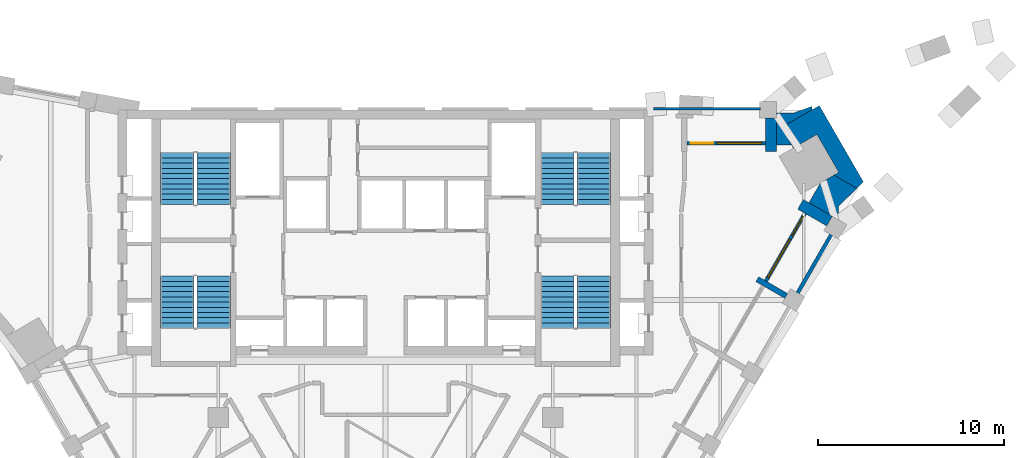
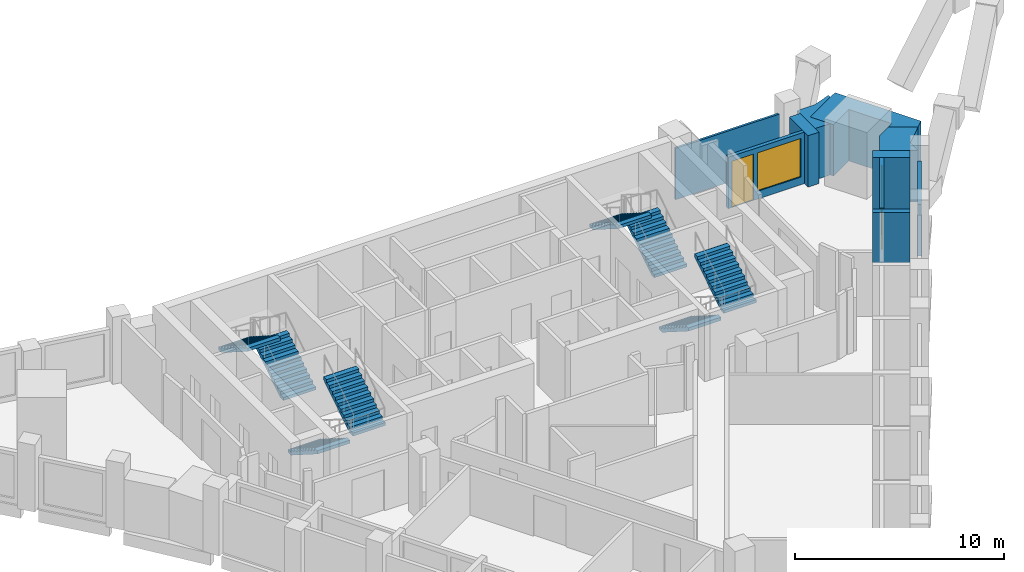
# One storey, part 8 of 9: 10 walls, 8 stair flights, 2 doors, 2 windows, 4 openings, 4 elements without a shape of their own.
"""IFC4 building model written with IfcOpenShell, lengths in metres."""

from ifc_helpers import new_model, si_unit, direction, frame, frame_2d, origin, place, context, subcontext, project, spatial, polyline, rectangle, outline, extrude, faceted_brep, source, transform, mapped, material, layer, layer_set, type_object, element, fill, aggregate, save


model = new_model("IFC4")

# Units and contexts
model_context = context("Model", 3, precision=1e-05, world=origin(), true_north=direction((0.0, 1.0)))
body_context = subcontext(model_context, "Body", "Model", "MODEL_VIEW")
ifc_project = project(units=[si_unit("LENGTHUNIT", "METRE"), si_unit("AREAUNIT", "SQUARE_METRE"), si_unit("VOLUMEUNIT", "CUBIC_METRE"), si_unit("PLANEANGLEUNIT", "RADIAN"), si_unit("MASSUNIT", "GRAM", prefix="KILO")], contexts=[model_context])

# Site, building, storey
site_placement = place(None, origin())
site = spatial("IfcSite", under=ifc_project, at=site_placement, CompositionType="ELEMENT")
building_placement = place(site_placement, origin())
building = spatial("IfcBuilding", under=site, at=building_placement, Name="Calabash Gate Tower", CompositionType="ELEMENT")
storey_placement = place(building_placement, frame((0.0, 0.0, 239.300048828125)))
storey = spatial("IfcBuildingStorey", under=building, at=storey_placement, Name="L57", CompositionType="ELEMENT", Elevation=239.300048828125)

# Walls
ifc_material_1 = material(Name="Terracotta brick masonry, exposed face", Category="masonry")
ifc_layer_1 = layer(ifc_material_1, 2.35009765625)
ifc_layer_set_1 = layer_set([ifc_layer_1], Name="Brick corner mass wall 2350")
wall_type_1 = type_object("IfcWallType", Name="Brick corner mass wall 2350", PredefinedType="SOLIDWALL", material=ifc_layer_set_1)
wall_1_placement = place(storey_placement, origin())
element("IfcWall", 1, at=wall_1_placement, inside=storey, type_object=wall_type_1, Name="Brick corner pier S16 3a", PredefinedType="SOLIDWALL", context=body_context, shape_type="SweptSolid", body=[
    extrude(outline(polyline([(23.392333984375, 15.1171875), (22.775634765625, 14.049072265625), (24.364013671875, 13.1318359375), (24.364013671875, 13.861083984375), (25.353271484375, 14.825439453125), (24.119873046875, 15.537353515625), (23.392333984375, 15.1171875)])), origin(), (0.0, 0.0, 1.0), 3.0),
])
wall_2_placement = place(storey_placement, origin())
element("IfcWall", 2, at=wall_2_placement, inside=storey, type_object=wall_type_1, Name="Brick corner pier S16 3b", PredefinedType="SOLIDWALL", context=body_context, shape_type="SweptSolid", body=[
    extrude(outline(polyline([(23.2041015625, 17.72216796875), (24.379150390625, 15.68701171875), (24.119873046875, 15.537353515625), (25.353271484375, 14.825439453125), (25.706298828125, 15.169677734375), (23.33447265625, 19.277587890625), (21.29931640625, 18.1025390625), (21.9404296875, 16.992431640625), (23.2041015625, 17.72216796875)])), origin(), (0.0, 0.0, 1.0), 3.0),
])
wall_3_placement = place(storey_placement, origin())
element("IfcWall", 3, at=wall_3_placement, inside=storey, type_object=wall_type_1, Name="Brick corner pier S16 3c", PredefinedType="SOLIDWALL", context=body_context, shape_type="SweptSolid", body=[
    extrude(outline(polyline([(21.027099609375, 18.884033203125), (21.02685546875, 17.152587890625), (21.847900390625, 17.152587890625), (21.29931640625, 18.1025390625), (22.94482421875, 19.052490234375), (22.94482421875, 19.239501953125), (21.97802734375, 18.884033203125), (21.027099609375, 18.884033203125)])), origin(), (0.0, 0.0, 1.0), 3.0),
])
ifc_material_2 = material(Name="Terracotta brick masonry, exposed face", Category="masonry")
ifc_layer_2 = layer(ifc_material_2, 0.300048828125)
ifc_layer_set_2 = layer_set([ifc_layer_2], Name="Brick loggia cheek wall 300")
wall_type_2 = type_object("IfcWallType", Name="Brick loggia cheek wall 300", PredefinedType="SOLIDWALL", material=ifc_layer_set_2)
wall_4_placement = place(storey_placement, frame((21.556396484375, 9.037109375, 0.0), z_axis=(0.0, 0.0, 1.0), x_axis=(-0.866047807691, 0.499961193289, 0.0)))
element("IfcWall", 4, at=wall_4_placement, inside=storey, type_object=wall_type_2, Name="Loggia cheek S16 SE2.8", PredefinedType="SOLIDWALL", context=body_context, shape_type="SweptSolid", body=[
    extrude(rectangle(XDim=1.800048828125, YDim=0.300048828125, at=frame_2d((0.89990234375, 0.0))), origin(), (0.0, 0.0, 1.0), 2.949951171875),
])
wall_5_placement = place(storey_placement, frame((23.88134765625, 13.064208984375, 0.0), z_axis=(0.0, 0.0, 1.0), x_axis=(-0.866047807691, 0.499961193289, 0.0)))
element("IfcWall", 5, at=wall_5_placement, inside=storey, type_object=wall_type_2, Name="Loggia cheek S16 SE2.9", PredefinedType="SOLIDWALL", context=body_context, shape_type="SweptSolid", body=[
    extrude(rectangle(XDim=1.800048828125, YDim=0.60009765625, at=frame_2d((0.89990234375, 0.0))), origin(), (0.0, 0.0, 1.0), 3.0),
])
wall_6_placement = place(storey_placement, origin())
element("IfcWall", 6, at=wall_6_placement, inside=storey, type_object=wall_type_2, Name="Loggia cheek S16 N4.0", PredefinedType="SOLIDWALL", context=body_context, shape_type="SweptSolid", body=[
    extrude(outline(polyline([(21.02685546875, 16.802490234375), (21.02685546875, 18.6025390625), (20.427001953125, 18.6025390625), (20.427001953125, 16.802490234375), (21.02685546875, 16.802490234375)])), origin(), (0.0, 0.0, 1.0), 3.0),
])
ifc_material_3 = material(Name="Terracotta brick masonry, perforated", Category="masonry")
ifc_layer_3 = layer(ifc_material_3, 0.1201171875)
ifc_layer_set_3 = layer_set([ifc_layer_3], Name="Terracotta jaali cladding B 120")
wall_type_3 = type_object("IfcWallType", Name="Terracotta jaali cladding B 120", PredefinedType="SOLIDWALL", material=ifc_layer_set_3)
wall_7_placement = place(storey_placement, frame((14.4248046875, 19.112548828125, 0.0), z_axis=(0.0, 0.0, 1.0), x_axis=(1.0, 0.0, 0.0)))
element("IfcWall", 7, at=wall_7_placement, inside=storey, type_object=wall_type_3, Name="Jaali cladding S16 N4.c1", PredefinedType="SOLIDWALL", context=body_context, shape_type="SweptSolid", body=[
    extrude(rectangle(XDim=5.739990234375, YDim=0.1201171875, at=frame_2d((2.8701171875, 0.0))), origin(), (0.0, 0.0, 1.0), 3.0),
])
ifc_material_4 = material(Name="Terracotta brick masonry, perforated", Category="masonry")
ifc_layer_4 = layer(ifc_material_4, 0.199951171875)
ifc_layer_set_4 = layer_set([ifc_layer_4], Name="Terracotta jaali screen B")
wall_type_4 = type_object("IfcWallType", Name="Terracotta jaali screen B", PredefinedType="SOLIDWALL", material=ifc_layer_set_4)
wall_8_placement = place(storey_placement, frame((22.1708984375, 9.201904296875, 0.0), z_axis=(0.0, 0.0, 1.0), x_axis=(0.500012057535, 0.866018442252, 0.0)))
element("IfcWall", 8, at=wall_8_placement, inside=storey, type_object=wall_type_4, Name="SCREEN B S16 SE2.9", PredefinedType="SOLIDWALL", context=body_context, shape_type="SweptSolid", body=[
    extrude(rectangle(XDim=3.60009765625, YDim=0.199951171875, at=frame_2d((1.800048828125, 0.0))), origin(), (0.0, 0.0, 1.0), 3.0),
])

# Wall, openings, door, window
ifc_material_5 = material(Name="Aluminium framed window wall with insulated spandrel", Category="aluminium")
ifc_layer_5 = layer(ifc_material_5, 0.199951171875)
ifc_layer_set_5 = layer_set([ifc_layer_5], Name="Window wall 200")
wall_type_5 = type_object("IfcWallType", Name="Window wall 200", PredefinedType="ELEMENTEDWALL", material=ifc_layer_set_5)
wall_9_placement = place(storey_placement, frame((20.462158203125, 9.842041015625, 0.0), z_axis=(0.0, 0.0, 1.0), x_axis=(0.500027713859, 0.866009402589, 0.0)))
wall_9 = element("IfcWall", 9, at=wall_9_placement, inside=storey, type_object=wall_type_5, Name="Window wall S16 SE2.9", PredefinedType="ELEMENTEDWALL", context=body_context, shape_type="SweptSolid", body=[
    extrude(rectangle(XDim=4.199951171875, YDim=0.199951171875, at=frame_2d((2.10009765625, 0.0))), origin(), (0.0, 0.0, 1.0), 3.0),
])
opening_1_placement = place(wall_9_placement, frame((0.199951171875, 0.0, 0.449951171875)))
opening_1 = element("IfcOpeningElement", 10, at=opening_1_placement, cuts=wall_9, Name="Opening OW1", PredefinedType="OPENING", context=body_context, shape_type="SweptSolid", body=[
    extrude(rectangle(XDim=2.39990234375, YDim=2.25, at=frame_2d((1.199951171875, 1.125))), frame((0.0, 0.10986328125, 0.0), z_axis=(0.0, -1.0, 0.0), x_axis=(1.0, 0.0, 0.0)), (0.0, 0.0, 1.0), 0.219970703125),
])
opening_2_placement = place(wall_9_placement, frame((2.800048828125, 0.0, 0.0)))
opening_2 = element("IfcOpeningElement", 11, at=opening_2_placement, cuts=wall_9, Name="Opening O8-025", PredefinedType="OPENING", context=body_context, shape_type="SweptSolid", body=[
    extrude(rectangle(XDim=1.199951171875, YDim=2.699951171875, at=frame_2d((0.60009765625, 1.35009765625))), frame((0.0, 0.10986328125, 0.0), z_axis=(0.0, -1.0, 0.0), x_axis=(1.0, 0.0, 0.0)), (0.0, 0.0, 1.0), 0.219970703125),
])
ifc_material_6 = material(Name="Anodised aluminium frame, bronze finish, impact-rated laminated clear glazing", Category="aluminium")
door_type = type_object("IfcDoorType", Name="Loggia door DO1 1200x2700", OperationType="SLIDING_TO_LEFT", PredefinedType="DOOR", material=ifc_material_6)
door_1_placement = place(opening_2_placement, origin())
door_1 = element("IfcDoor", 12, at=door_1_placement, inside=storey, type_object=door_type, Name="Loggia door S16 SE2.9", OperationType="SINGLE_SWING_LEFT", OverallHeight=2.699951171875, OverallWidth=1.199951171875, PredefinedType="DOOR", context=body_context, shape_type="SweptSolid", body=[
    extrude(rectangle(XDim=1.199951171875, YDim=2.699951171875, at=frame_2d((0.60009765625, 1.35009765625))), frame((0.0, 0.02490234375, 0.0), z_axis=(0.0, -1.0, 0.0), x_axis=(1.0, 0.0, 0.0)), (0.0, 0.0, 1.0), 0.050048828125),
])
fill(opening_2, door_1)
ifc_material_7 = material(Name="Anodised aluminium frame, bronze finish, impact-rated laminated clear glazing", Category="aluminium")
window_type = type_object("IfcWindowType", Name="Window OW1 2400x2250", PartitioningType="DOUBLE_PANEL_VERTICAL", PredefinedType="WINDOW", material=ifc_material_7)
window_1_placement = place(opening_1_placement, origin())
window_1 = element("IfcWindow", 13, at=window_1_placement, inside=storey, type_object=window_type, Name="Window OW1 S16 SE2.9", OverallHeight=2.25, OverallWidth=2.39990234375, PartitioningType="SINGLE_PANEL", PredefinedType="WINDOW", context=body_context, shape_type="SweptSolid", body=[
    extrude(rectangle(XDim=2.39990234375, YDim=2.25, at=frame_2d((1.199951171875, 1.125))), frame((0.0, 0.030029296875, 0.0), z_axis=(0.0, -1.0, 0.0), x_axis=(1.0, 0.0, 0.0)), (0.0, 0.0, 1.0), 0.06005859375),
])
fill(opening_1, window_1)

wall_10_placement = place(storey_placement, frame((20.427001953125, 17.25244140625, 0.0), z_axis=(0.0, 0.0, 1.0), x_axis=(-1.0, 0.0, 0.0)))
wall_10 = element("IfcWall", 14, at=wall_10_placement, inside=storey, type_object=wall_type_5, Name="Window wall S16 N4.1", PredefinedType="ELEMENTEDWALL", context=body_context, shape_type="SweptSolid", body=[
    extrude(rectangle(XDim=4.199951171875, YDim=0.199951171875, at=frame_2d((2.10009765625, 0.0))), origin(), (0.0, 0.0, 1.0), 3.0),
])
opening_3_placement = place(wall_10_placement, frame((0.199951171875, 0.0, 0.449951171875)))
opening_3 = element("IfcOpeningElement", 15, at=opening_3_placement, cuts=wall_10, Name="Opening OW1", PredefinedType="OPENING", context=body_context, shape_type="SweptSolid", body=[
    extrude(rectangle(XDim=2.39990234375, YDim=2.25, at=frame_2d((1.199951171875, 1.125))), frame((0.0, 0.10986328125, 0.0), z_axis=(0.0, -1.0, 0.0), x_axis=(1.0, 0.0, 0.0)), (0.0, 0.0, 1.0), 0.219970703125),
])
opening_4_placement = place(wall_10_placement, frame((2.800048828125, 0.0, 0.0)))
opening_4 = element("IfcOpeningElement", 16, at=opening_4_placement, cuts=wall_10, Name="Opening O8-021", PredefinedType="OPENING", context=body_context, shape_type="SweptSolid", body=[
    extrude(rectangle(XDim=1.199951171875, YDim=2.699951171875, at=frame_2d((0.60009765625, 1.35009765625))), frame((0.0, 0.10986328125, 0.0), z_axis=(0.0, -1.0, 0.0), x_axis=(1.0, 0.0, 0.0)), (0.0, 0.0, 1.0), 0.219970703125),
])
door_2_placement = place(opening_4_placement, origin())
door_2 = element("IfcDoor", 17, at=door_2_placement, inside=storey, type_object=door_type, Name="Loggia door S16 N4.1", OperationType="SINGLE_SWING_LEFT", OverallHeight=2.699951171875, OverallWidth=1.199951171875, PredefinedType="DOOR", context=body_context, shape_type="SweptSolid", body=[
    extrude(rectangle(XDim=1.199951171875, YDim=2.699951171875, at=frame_2d((0.60009765625, 1.35009765625))), frame((0.0, 0.02490234375, 0.0), z_axis=(0.0, -1.0, 0.0), x_axis=(1.0, 0.0, 0.0)), (0.0, 0.0, 1.0), 0.050048828125),
])
fill(opening_4, door_2)
window_2_placement = place(opening_3_placement, origin())
window_2 = element("IfcWindow", 18, at=window_2_placement, inside=storey, type_object=window_type, Name="Window OW1 S16 N4.1", OverallHeight=2.25, OverallWidth=2.39990234375, PartitioningType="SINGLE_PANEL", PredefinedType="WINDOW", context=body_context, shape_type="SweptSolid", body=[
    extrude(rectangle(XDim=2.39990234375, YDim=2.25, at=frame_2d((1.199951171875, 1.125))), frame((0.0, 0.030029296875, 0.0), z_axis=(0.0, -1.0, 0.0), x_axis=(1.0, 0.0, 0.0)), (0.0, 0.0, 1.0), 0.06005859375),
])
fill(opening_3, window_2)

# Stair, stair flights
ifc_material_8 = material(Name="Concrete C40/50", Category="concrete")
stair_type = type_object("IfcStairType", Name="Exit stair 22 risers of 177.3 mm", PredefinedType="HALF_TURN_STAIR", material=ifc_material_8)
stair_1_placement = place(storey_placement, origin())
stair_1 = element("IfcStair", 19, at=stair_1_placement, inside=storey, type_object=stair_type, Name="L57 Exit stair ST1", PredefinedType="HALF_TURN_STAIR")
ifc_material_9 = material(Name="Concrete C40/50", Category="concrete")
stair_flight_type = type_object("IfcStairFlightType", Name="Exit stair flight SFL", PredefinedType="STRAIGHT", material=ifc_material_9)
shared_shape = source(origin(), body_context, "Body", "Brep", [
    faceted_brep([(-0.0009765625, -0.89990234375, 0.0), (0.279541015625, -0.89990234375, 0.0), (2.791015625, -0.89990234375, 1.59521484375), (-0.0009765625, 0.89990234375, 0.0), (2.791015625, 0.89990234375, 1.59521484375), (0.279541015625, 0.89990234375, 0.0), (2.791015625, -0.89990234375, 1.78466796875), (2.7900390625, -0.89990234375, 1.78466796875), (2.7900390625, 0.89990234375, 1.78466796875), (2.791015625, 0.89990234375, 1.78466796875), (2.7900390625, -0.89990234375, 1.772705078125), (2.7900390625, 0.89990234375, 1.772705078125), (2.510986328125, -0.89990234375, 1.772705078125), (2.510986328125, 0.89990234375, 1.772705078125), (2.510986328125, -0.89990234375, 1.595458984375), (2.510986328125, 0.89990234375, 1.595458984375), (2.23193359375, -0.89990234375, 1.595458984375), (2.23193359375, 0.89990234375, 1.595458984375), (2.23193359375, -0.89990234375, 1.418212890625), (2.23193359375, 0.89990234375, 1.418212890625), (1.952880859375, -0.89990234375, 1.418212890625), (1.952880859375, -0.89990234375, 1.240966796875), (1.952880859375, 0.89990234375, 1.240966796875), (1.952880859375, 0.89990234375, 1.418212890625), (1.674072265625, -0.89990234375, 1.240966796875), (1.674072265625, -0.89990234375, 1.063720703125), (1.674072265625, 0.89990234375, 1.063720703125), (1.674072265625, 0.89990234375, 1.240966796875), (1.39501953125, -0.89990234375, 1.063720703125), (1.39501953125, -0.89990234375, 0.886474609375), (1.39501953125, 0.89990234375, 0.886474609375), (1.39501953125, 0.89990234375, 1.063720703125), (1.115966796875, -0.89990234375, 0.886474609375), (1.115966796875, -0.89990234375, 0.708984375), (1.115966796875, 0.89990234375, 0.708984375), (1.115966796875, 0.89990234375, 0.886474609375), (0.8369140625, -0.89990234375, 0.708984375), (0.8369140625, -0.89990234375, 0.53173828125), (0.8369140625, 0.89990234375, 0.53173828125), (0.8369140625, 0.89990234375, 0.708984375), (0.55810546875, -0.89990234375, 0.53173828125), (0.55810546875, -0.89990234375, 0.3544921875), (0.55810546875, 0.89990234375, 0.3544921875), (0.55810546875, 0.89990234375, 0.53173828125), (0.279052734375, -0.89990234375, 0.3544921875), (0.279052734375, -0.89990234375, 0.17724609375), (0.279052734375, 0.89990234375, 0.17724609375), (0.279052734375, 0.89990234375, 0.3544921875), (-0.0009765625, -0.89990234375, 0.17724609375), (-0.0009765625, 0.89990234375, 0.17724609375), (0.279541015625, -0.360107421875, 0.0), (2.791015625, -0.360107421875, 1.59521484375), (0.279541015625, 0.0, 0.0), (2.791015625, 0.0, 1.59521484375), (0.279541015625, 0.360107421875, 0.0), (2.791015625, 0.360107421875, 1.59521484375), (2.791015625, -0.360107421875, 1.78466796875), (2.791015625, 0.0, 1.78466796875), (2.791015625, 0.360107421875, 1.78466796875), (2.7900390625, -0.360107421875, 1.78466796875), (2.7900390625, 0.0, 1.78466796875), (2.7900390625, 0.360107421875, 1.78466796875), (2.7900390625, -0.360107421875, 1.772705078125), (2.7900390625, 0.0, 1.772705078125), (2.7900390625, 0.360107421875, 1.772705078125), (2.510986328125, -0.360107421875, 1.772705078125), (2.510986328125, 0.0, 1.772705078125), (2.510986328125, 0.360107421875, 1.772705078125), (2.510986328125, -0.360107421875, 1.595458984375), (2.510986328125, 0.0, 1.595458984375), (2.510986328125, 0.360107421875, 1.595458984375), (2.23193359375, -0.360107421875, 1.595458984375), (2.23193359375, 0.0, 1.595458984375), (2.23193359375, 0.360107421875, 1.595458984375), (2.23193359375, -0.360107421875, 1.418212890625), (2.23193359375, 0.0, 1.418212890625), (2.23193359375, 0.360107421875, 1.418212890625), (1.952880859375, -0.360107421875, 1.418212890625), (1.952880859375, 0.0, 1.418212890625), (1.952880859375, 0.360107421875, 1.418212890625), (1.952880859375, -0.360107421875, 1.240966796875), (1.952880859375, 0.0, 1.240966796875), (1.952880859375, 0.360107421875, 1.240966796875), (1.674072265625, -0.360107421875, 1.240966796875), (1.674072265625, 0.0, 1.240966796875), (1.674072265625, 0.360107421875, 1.240966796875), (1.674072265625, -0.360107421875, 1.063720703125), (1.674072265625, 0.0, 1.063720703125), (1.674072265625, 0.360107421875, 1.063720703125), (1.39501953125, -0.360107421875, 1.063720703125), (1.39501953125, 0.0, 1.063720703125), (1.39501953125, 0.360107421875, 1.063720703125), (1.39501953125, -0.360107421875, 0.886474609375), (1.39501953125, 0.0, 0.886474609375), (1.39501953125, 0.360107421875, 0.886474609375), (1.115966796875, -0.360107421875, 0.886474609375), (1.115966796875, 0.0, 0.886474609375), (1.115966796875, 0.360107421875, 0.886474609375), (1.115966796875, -0.360107421875, 0.708984375), (1.115966796875, 0.0, 0.708984375), (1.115966796875, 0.360107421875, 0.708984375), (0.8369140625, -0.360107421875, 0.708984375), (0.8369140625, 0.0, 0.708984375), (0.8369140625, 0.360107421875, 0.708984375), (0.8369140625, -0.360107421875, 0.53173828125), (0.8369140625, 0.0, 0.53173828125), (0.8369140625, 0.360107421875, 0.53173828125), (0.55810546875, -0.360107421875, 0.53173828125), (0.55810546875, 0.0, 0.53173828125), (0.55810546875, 0.360107421875, 0.53173828125), (0.55810546875, -0.360107421875, 0.3544921875), (0.55810546875, 0.0, 0.3544921875), (0.55810546875, 0.360107421875, 0.3544921875), (0.279052734375, -0.360107421875, 0.3544921875), (0.279052734375, 0.0, 0.3544921875), (0.279052734375, 0.360107421875, 0.3544921875), (0.279052734375, -0.360107421875, 0.17724609375), (0.279052734375, 0.0, 0.17724609375), (0.279052734375, 0.360107421875, 0.17724609375), (-0.0009765625, -0.360107421875, 0.17724609375), (-0.0009765625, 0.0, 0.17724609375), (-0.0009765625, 0.360107421875, 0.17724609375), (-0.0009765625, -0.360107421875, 0.0), (-0.0009765625, 0.0, 0.0), (-0.0009765625, 0.360107421875, 0.0)], [[[0, 1, 2]], [[3, 4, 5]], [[2, 6, 7]], [[4, 8, 9]], [[2, 7, 10]], [[4, 11, 8]], [[2, 10, 12]], [[4, 13, 11]], [[2, 12, 14]], [[4, 15, 13]], [[2, 14, 16]], [[4, 17, 15]], [[2, 16, 18]], [[4, 19, 17]], [[18, 20, 21]], [[19, 22, 23]], [[2, 18, 21]], [[4, 22, 19]], [[21, 24, 25]], [[22, 26, 27]], [[2, 21, 25]], [[4, 26, 22]], [[25, 28, 29]], [[26, 30, 31]], [[2, 25, 29]], [[4, 30, 26]], [[29, 32, 33]], [[30, 34, 35]], [[2, 29, 33]], [[4, 34, 30]], [[33, 36, 37]], [[34, 38, 39]], [[2, 33, 37]], [[4, 38, 34]], [[37, 40, 41]], [[38, 42, 43]], [[2, 37, 41]], [[4, 42, 38]], [[41, 44, 45]], [[42, 46, 47]], [[2, 41, 45]], [[4, 46, 42]], [[0, 2, 45]], [[3, 46, 4]], [[45, 48, 0]], [[46, 3, 49]], [[1, 50, 2]], [[50, 51, 2]], [[50, 52, 51]], [[52, 53, 51]], [[52, 54, 55]], [[52, 55, 53]], [[54, 5, 4]], [[54, 4, 55]], [[2, 51, 6]], [[51, 56, 6]], [[51, 53, 56]], [[53, 57, 56]], [[53, 55, 58]], [[53, 58, 57]], [[55, 4, 9]], [[55, 9, 58]], [[6, 56, 7]], [[56, 59, 7]], [[56, 57, 59]], [[57, 60, 59]], [[57, 58, 61]], [[57, 61, 60]], [[58, 9, 8]], [[58, 8, 61]], [[7, 59, 10]], [[59, 62, 10]], [[59, 60, 62]], [[60, 63, 62]], [[60, 61, 64]], [[60, 64, 63]], [[61, 8, 11]], [[61, 11, 64]], [[10, 62, 12]], [[62, 65, 12]], [[62, 63, 65]], [[63, 66, 65]], [[63, 64, 67]], [[63, 67, 66]], [[64, 11, 13]], [[64, 13, 67]], [[12, 65, 14]], [[65, 68, 14]], [[65, 66, 68]], [[66, 69, 68]], [[66, 67, 70]], [[66, 70, 69]], [[67, 13, 15]], [[67, 15, 70]], [[14, 68, 16]], [[68, 71, 16]], [[68, 69, 71]], [[69, 72, 71]], [[69, 70, 73]], [[69, 73, 72]], [[70, 15, 17]], [[70, 17, 73]], [[16, 71, 18]], [[71, 74, 18]], [[71, 72, 74]], [[72, 75, 74]], [[72, 73, 76]], [[72, 76, 75]], [[73, 17, 19]], [[73, 19, 76]], [[18, 74, 20]], [[74, 77, 20]], [[74, 75, 77]], [[75, 78, 77]], [[75, 76, 79]], [[75, 79, 78]], [[76, 19, 23]], [[76, 23, 79]], [[20, 77, 21]], [[77, 80, 21]], [[77, 78, 80]], [[78, 81, 80]], [[78, 79, 82]], [[78, 82, 81]], [[79, 23, 22]], [[79, 22, 82]], [[21, 80, 24]], [[80, 83, 24]], [[80, 81, 83]], [[81, 84, 83]], [[81, 82, 85]], [[81, 85, 84]], [[82, 22, 27]], [[82, 27, 85]], [[24, 83, 25]], [[83, 86, 25]], [[83, 84, 86]], [[84, 87, 86]], [[84, 85, 88]], [[84, 88, 87]], [[85, 27, 26]], [[85, 26, 88]], [[25, 86, 28]], [[86, 89, 28]], [[86, 87, 89]], [[87, 90, 89]], [[87, 88, 91]], [[87, 91, 90]], [[88, 26, 31]], [[88, 31, 91]], [[28, 89, 29]], [[89, 92, 29]], [[89, 90, 92]], [[90, 93, 92]], [[90, 91, 94]], [[90, 94, 93]], [[91, 31, 30]], [[91, 30, 94]], [[29, 92, 32]], [[92, 95, 32]], [[92, 93, 95]], [[93, 96, 95]], [[93, 94, 97]], [[93, 97, 96]], [[94, 30, 35]], [[94, 35, 97]], [[32, 95, 33]], [[95, 98, 33]], [[95, 96, 98]], [[96, 99, 98]], [[96, 97, 100]], [[96, 100, 99]], [[97, 35, 34]], [[97, 34, 100]], [[33, 98, 36]], [[98, 101, 36]], [[98, 99, 101]], [[99, 102, 101]], [[99, 100, 103]], [[99, 103, 102]], [[100, 34, 39]], [[100, 39, 103]], [[36, 101, 37]], [[101, 104, 37]], [[101, 102, 104]], [[102, 105, 104]], [[102, 103, 106]], [[102, 106, 105]], [[103, 39, 38]], [[103, 38, 106]], [[37, 104, 40]], [[104, 107, 40]], [[104, 105, 107]], [[105, 108, 107]], [[105, 106, 109]], [[105, 109, 108]], [[106, 38, 43]], [[106, 43, 109]], [[40, 107, 41]], [[107, 110, 41]], [[107, 108, 110]], [[108, 111, 110]], [[108, 109, 112]], [[108, 112, 111]], [[109, 43, 42]], [[109, 42, 112]], [[41, 110, 44]], [[110, 113, 44]], [[110, 111, 113]], [[111, 114, 113]], [[111, 112, 115]], [[111, 115, 114]], [[112, 42, 47]], [[112, 47, 115]], [[44, 113, 45]], [[113, 116, 45]], [[113, 114, 116]], [[114, 117, 116]], [[114, 115, 118]], [[114, 118, 117]], [[115, 47, 46]], [[115, 46, 118]], [[45, 116, 48]], [[116, 119, 48]], [[116, 117, 119]], [[117, 120, 119]], [[117, 118, 121]], [[117, 121, 120]], [[118, 46, 49]], [[118, 49, 121]], [[48, 119, 0]], [[119, 122, 0]], [[119, 120, 122]], [[120, 123, 122]], [[120, 121, 124]], [[120, 124, 123]], [[121, 49, 3]], [[121, 3, 124]], [[0, 122, 1]], [[122, 50, 1]], [[122, 123, 50]], [[123, 52, 50]], [[123, 124, 54]], [[123, 54, 52]], [[124, 3, 5]], [[124, 5, 54]]]),
])
stair_flight_1_placement = place(storey_placement, frame((-9.25, 13.95263671875, 0.0), z_axis=(0.0, 0.0, 1.0), x_axis=(0.0, 1.0, 0.0)))
stair_flight_1 = element("IfcStairFlight", 20, at=stair_flight_1_placement, type_object=stair_flight_type, Name="ST1 flight 1", NumberOfRisers=11, NumberOfTreads=10, PredefinedType="STRAIGHT", RiserHeight=0.177272727, TreadLength=0.279, context=body_context, shape_type="MappedRepresentation", body=[
    mapped(shared_shape, transform((0.0, 0.0, 0.0), scale=1.0)),
])
stair_flight_2_placement = place(storey_placement, frame((-11.199951171875, 16.74267578125, 1.949951171875), z_axis=(0.0, 0.0, 1.0), x_axis=(0.0, -1.0, 0.0)))
stair_flight_2 = element("IfcStairFlight", 21, at=stair_flight_2_placement, type_object=stair_flight_type, Name="ST1 flight 2", NumberOfRisers=11, NumberOfTreads=10, PredefinedType="STRAIGHT", RiserHeight=0.177272727, TreadLength=0.279, context=body_context, shape_type="MappedRepresentation", body=[
    mapped(shared_shape, transform((0.0, 0.0, 0.0), scale=1.0)),
])
aggregate(stair_1, [stair_flight_1, stair_flight_2])

stair_2_placement = place(storey_placement, origin())
stair_2 = element("IfcStair", 22, at=stair_2_placement, inside=storey, type_object=stair_type, Name="L57 Exit stair ST2", PredefinedType="HALF_TURN_STAIR")
stair_flight_3_placement = place(storey_placement, frame((-11.199951171875, 10.1025390625, 0.0), z_axis=(0.0, 0.0, 1.0), x_axis=(0.0, -1.0, 0.0)))
stair_flight_3 = element("IfcStairFlight", 23, at=stair_flight_3_placement, type_object=stair_flight_type, Name="ST2 flight 1", NumberOfRisers=11, NumberOfTreads=10, PredefinedType="STRAIGHT", RiserHeight=0.177272727, TreadLength=0.279, context=body_context, shape_type="MappedRepresentation", body=[
    mapped(shared_shape, transform((0.0, 0.0, 0.0), scale=1.0)),
])
stair_flight_4_placement = place(storey_placement, frame((-9.25, 7.3125, 1.949951171875), z_axis=(0.0, 0.0, 1.0), x_axis=(0.0, 1.0, 0.0)))
stair_flight_4 = element("IfcStairFlight", 24, at=stair_flight_4_placement, type_object=stair_flight_type, Name="ST2 flight 2", NumberOfRisers=11, NumberOfTreads=10, PredefinedType="STRAIGHT", RiserHeight=0.177272727, TreadLength=0.279, context=body_context, shape_type="MappedRepresentation", body=[
    mapped(shared_shape, transform((0.0, 0.0, 0.0), scale=1.0)),
])
aggregate(stair_2, [stair_flight_3, stair_flight_4])

stair_3_placement = place(storey_placement, origin())
stair_3 = element("IfcStair", 25, at=stair_3_placement, inside=storey, type_object=stair_type, Name="L57 Exit stair ST3", PredefinedType="HALF_TURN_STAIR")
stair_flight_5_placement = place(storey_placement, frame((11.199951171875, 13.95263671875, 0.0), z_axis=(0.0, 0.0, 1.0), x_axis=(0.0, 1.0, 0.0)))
stair_flight_5 = element("IfcStairFlight", 26, at=stair_flight_5_placement, type_object=stair_flight_type, Name="ST3 flight 1", NumberOfRisers=11, NumberOfTreads=10, PredefinedType="STRAIGHT", RiserHeight=0.177272727, TreadLength=0.279, context=body_context, shape_type="MappedRepresentation", body=[
    mapped(shared_shape, transform((0.0, 0.0, 0.0), scale=1.0)),
])
stair_flight_6_placement = place(storey_placement, frame((9.25, 16.74267578125, 1.949951171875), z_axis=(0.0, 0.0, 1.0), x_axis=(0.0, -1.0, 0.0)))
stair_flight_6 = element("IfcStairFlight", 27, at=stair_flight_6_placement, type_object=stair_flight_type, Name="ST3 flight 2", NumberOfRisers=11, NumberOfTreads=10, PredefinedType="STRAIGHT", RiserHeight=0.177272727, TreadLength=0.279, context=body_context, shape_type="MappedRepresentation", body=[
    mapped(shared_shape, transform((0.0, 0.0, 0.0), scale=1.0)),
])
aggregate(stair_3, [stair_flight_5, stair_flight_6])

stair_4_placement = place(storey_placement, origin())
stair_4 = element("IfcStair", 28, at=stair_4_placement, inside=storey, type_object=stair_type, Name="L57 Exit stair ST4", PredefinedType="HALF_TURN_STAIR")
stair_flight_7_placement = place(storey_placement, frame((9.25, 10.1025390625, 0.0), z_axis=(0.0, 0.0, 1.0), x_axis=(0.0, -1.0, 0.0)))
stair_flight_7 = element("IfcStairFlight", 29, at=stair_flight_7_placement, type_object=stair_flight_type, Name="ST4 flight 1", NumberOfRisers=11, NumberOfTreads=10, PredefinedType="STRAIGHT", RiserHeight=0.177272727, TreadLength=0.279, context=body_context, shape_type="MappedRepresentation", body=[
    mapped(shared_shape, transform((0.0, 0.0, 0.0), scale=1.0)),
])
stair_flight_8_placement = place(storey_placement, frame((11.199951171875, 7.3125, 1.949951171875), z_axis=(0.0, 0.0, 1.0), x_axis=(0.0, 1.0, 0.0)))
stair_flight_8 = element("IfcStairFlight", 30, at=stair_flight_8_placement, type_object=stair_flight_type, Name="ST4 flight 2", NumberOfRisers=11, NumberOfTreads=10, PredefinedType="STRAIGHT", RiserHeight=0.177272727, TreadLength=0.279, context=body_context, shape_type="MappedRepresentation", body=[
    mapped(shared_shape, transform((0.0, 0.0, 0.0), scale=1.0)),
])
aggregate(stair_4, [stair_flight_7, stair_flight_8])

save(model, "model.ifc")
